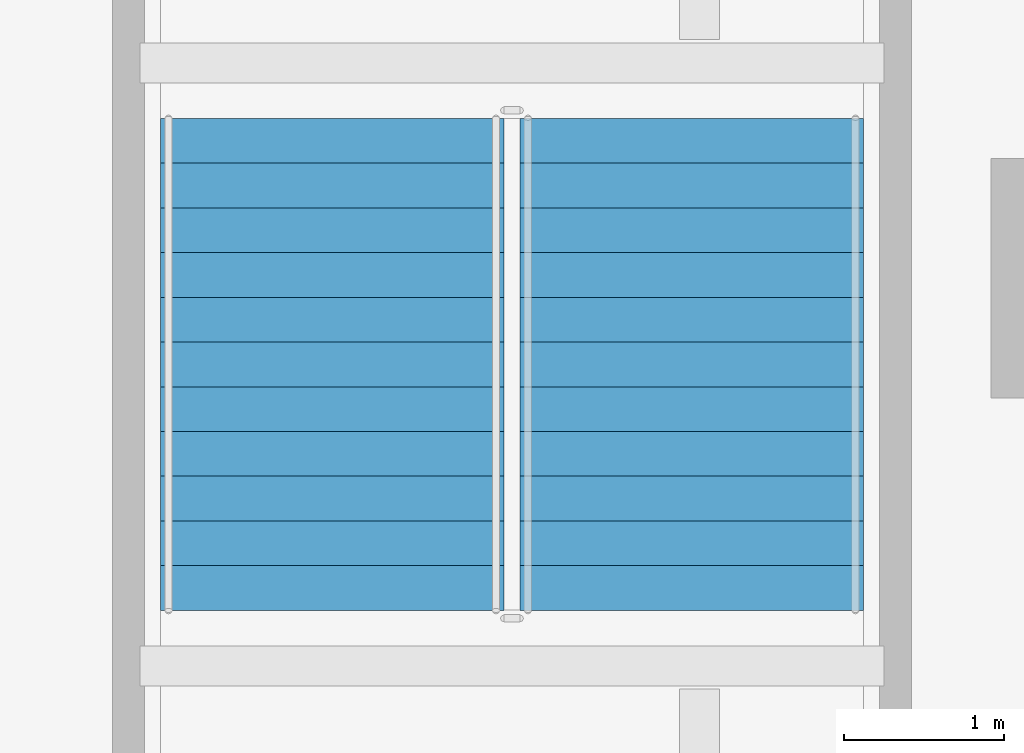
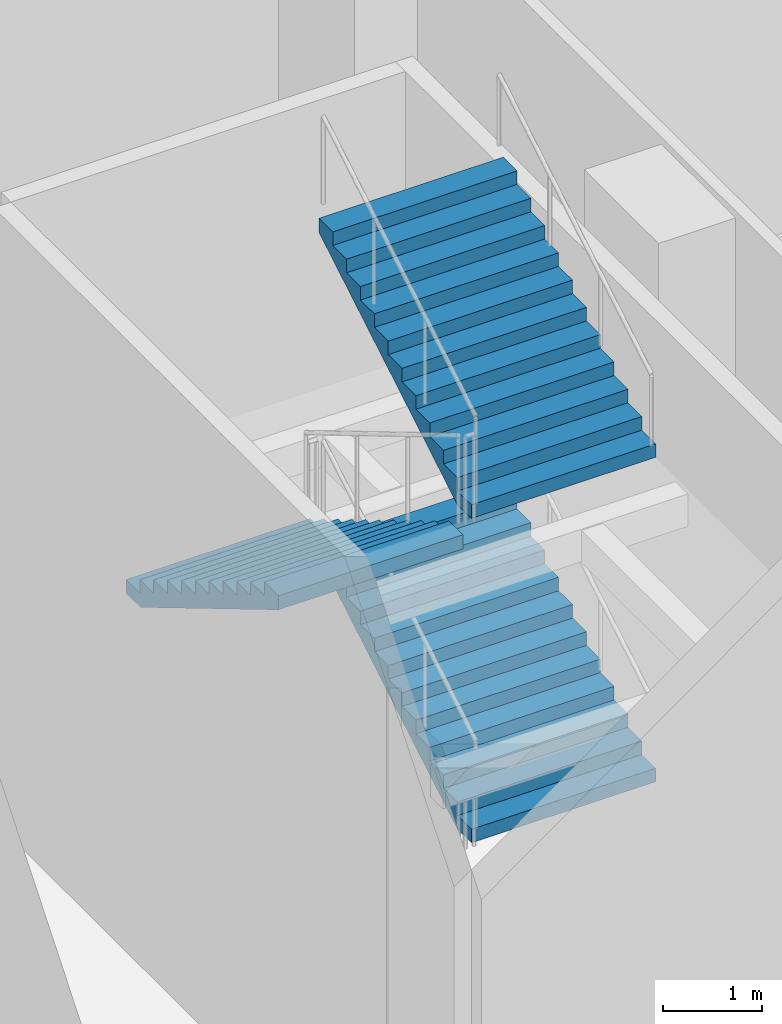
# One storey, part 20 of 30: 3 stair flights, 1 element without a shape of its own.
"""IFC4 building model written with IfcOpenShell, lengths in metres."""

from ifc_helpers import new_model, si_unit, direction, frame, origin, place, context, subcontext, project, spatial, triangles, material, type_object, element, aggregate, save


model = new_model("IFC4")

# Units and contexts
model_context = context("Model", 3, precision=1e-05, world=origin(), true_north=direction((0.0, 1.0)))
body_context = subcontext(model_context, "Body", "Model", "MODEL_VIEW")
ifc_project = project(units=[si_unit("LENGTHUNIT", "METRE"), si_unit("AREAUNIT", "SQUARE_METRE"), si_unit("VOLUMEUNIT", "CUBIC_METRE"), si_unit("PLANEANGLEUNIT", "RADIAN"), si_unit("MASSUNIT", "GRAM", prefix="KILO")], contexts=[model_context])

# Site, building, storey
site_placement = place(None, origin())
site = spatial("IfcSite", under=ifc_project, at=site_placement, CompositionType="ELEMENT")
building_placement = place(site_placement, origin())
building = spatial("IfcBuilding", under=site, at=building_placement, Name="Verdalira Terraces Hotel", CompositionType="ELEMENT")
storey_placement = place(building_placement, origin())
storey = spatial("IfcBuildingStorey", under=building, at=storey_placement, Name="L00", CompositionType="ELEMENT", Elevation=0.0)

# Stair, stair flights
ifc_material_1 = material(Name="Concrete C40", Category="concrete")
stair_type = type_object("IfcStairType", Name="Podium stair 48 risers", PredefinedType="HALF_TURN_STAIR", material=ifc_material_1)
stair_placement = place(storey_placement, origin())
stair = element("IfcStair", 1, at=stair_placement, inside=storey, type_object=stair_type, Name="L00 Exit stair PS4", PredefinedType="HALF_TURN_STAIR")
ifc_material_2 = material(Name="Concrete C40", Category="concrete")
stair_flight_type = type_object("IfcStairFlightType", Name="Podium stair flight 48 risers", PredefinedType="STRAIGHT", material=ifc_material_2)
stair_flight_1_placement = place(storey_placement, frame((21.283447, -2.080078, 2.0), z_axis=(0.0, 0.0, 1.0), x_axis=(0.0, 1.0, 0.0)))
stair_flight_1 = element("IfcStairFlight", 2, at=stair_flight_1_placement, type_object=stair_flight_type, Name="PS4 flight 2", NumberOfRisers=12, NumberOfTreads=11, PredefinedType="STRAIGHT", RiserHeight=0.166666667, TreadLength=0.28, context=body_context, shape_type="Tessellation", body=[
    triangles([(0.0, 1.074951, 0.0), (0.292969, 1.074951, 0.0), (3.080078, 1.074951, 1.658936), (0.0, -1.074951, 0.0), (0.292969, -1.074951, 0.0), (3.080078, -1.074951, 1.658936), (3.080078, 1.074951, 1.833252), (2.800049, 1.074951, 1.833252), (3.080078, -1.074951, 1.833252), (2.800049, -1.074951, 1.833252), (2.800049, 1.074951, 1.666748), (2.800049, -1.074951, 1.666748), (2.52002, 1.074951, 1.666748), (2.52002, -1.074951, 1.666748), (2.52002, 1.074951, 1.5), (2.52002, -1.074951, 1.5), (2.23999, 1.074951, 1.5), (2.23999, 1.074951, 1.333252), (2.23999, -1.074951, 1.5), (2.23999, -1.074951, 1.333252), (1.959961, 1.074951, 1.333252), (1.959961, 1.074951, 1.166748), (1.959961, -1.074951, 1.333252), (1.959961, -1.074951, 1.166748), (1.679932, 1.074951, 1.166748), (1.679932, 1.074951, 1.0), (1.679932, -1.074951, 1.166748), (1.679932, -1.074951, 1.0), (1.399902, 1.074951, 1.0), (1.399902, 1.074951, 0.833252), (1.399902, -1.074951, 1.0), (1.399902, -1.074951, 0.833252), (1.120117, 1.074951, 0.833252), (1.120117, 1.074951, 0.666748), (1.120117, -1.074951, 0.833252), (1.120117, -1.074951, 0.666748), (0.840088, 1.074951, 0.666748), (0.840088, 1.074951, 0.5), (0.840088, -1.074951, 0.666748), (0.840088, -1.074951, 0.5), (0.560059, 1.074951, 0.5), (0.560059, 1.074951, 0.333252), (0.560059, -1.074951, 0.5), (0.560059, -1.074951, 0.333252), (0.280029, 1.074951, 0.333252), (0.280029, 1.074951, 0.166748), (0.280029, -1.074951, 0.333252), (0.280029, -1.074951, 0.166748), (0.0, 1.074951, 0.166748), (0.0, -1.074951, 0.166748), (0.0, -1.007767, 0.0), (0.0, -1.007767, 0.166748), (0.0, -0.940582, 0.0), (0.0, -0.940582, 0.166748), (0.0, -0.873398, 0.0), (0.0, -0.873398, 0.166748), (0.0, -0.806213, 0.0), (0.0, -0.806213, 0.166748), (0.0, -0.739029, 0.0), (0.0, -0.739029, 0.166748), (0.0, -0.671844, 0.0), (0.0, -0.671844, 0.166748), (0.0, -0.60466, 0.0), (0.0, -0.60466, 0.166748), (0.0, -0.537476, 0.0), (0.0, -0.537476, 0.166748), (0.0, -0.470291, 0.0), (0.0, -0.470291, 0.166748), (0.0, -0.403107, 0.0), (0.0, -0.403107, 0.166748), (0.0, -0.335922, 0.0), (0.0, -0.335922, 0.166748), (0.0, -0.268738, 0.0), (0.0, -0.268738, 0.166748), (0.0, -0.201553, 0.0), (0.0, -0.201553, 0.166748), (0.0, -0.134369, 0.0), (0.0, -0.134369, 0.166748), (0.0, -0.067184, 0.0), (0.0, -0.067184, 0.166748), (0.0, 0.0, 0.0), (0.0, 0.0, 0.166748), (0.0, 0.067184, 0.0), (0.0, 0.067184, 0.166748), (0.0, 0.134369, 0.0), (0.0, 0.134369, 0.166748), (0.0, 0.201553, 0.0), (0.0, 0.201553, 0.166748), (0.0, 0.268738, 0.0), (0.0, 0.268738, 0.166748), (0.0, 0.335922, 0.0), (0.0, 0.335922, 0.166748), (0.0, 0.403107, 0.0), (0.0, 0.403107, 0.166748), (0.0, 0.470291, 0.0), (0.0, 0.470291, 0.166748), (0.0, 0.537476, 0.0), (0.0, 0.537476, 0.166748), (0.0, 0.60466, 0.0), (0.0, 0.60466, 0.166748), (0.0, 0.671844, 0.0), (0.0, 0.671844, 0.166748), (0.0, 0.739029, 0.0), (0.0, 0.739029, 0.166748), (0.0, 0.806213, 0.0), (0.0, 0.806213, 0.166748), (0.0, 0.873398, 0.0), (0.0, 0.873398, 0.166748), (0.0, 0.940582, 0.0), (0.0, 0.940582, 0.166748), (0.0, 1.007767, 0.0), (0.0, 1.007767, 0.166748), (3.080078, -1.007767, 1.833252), (3.080078, -0.940582, 1.833252), (3.080078, -0.873398, 1.833252), (3.080078, -0.806213, 1.833252), (3.080078, -0.739029, 1.833252), (3.080078, -0.671844, 1.833252), (3.080078, -0.60466, 1.833252), (3.080078, -0.537476, 1.833252), (3.080078, -0.470291, 1.833252), (3.080078, -0.403107, 1.833252), (3.080078, -0.335922, 1.833252), (3.080078, -0.268738, 1.833252), (3.080078, -0.201553, 1.833252), (3.080078, -0.134369, 1.833252), (3.080078, -0.067184, 1.833252), (3.080078, 0.0, 1.833252), (3.080078, 0.067184, 1.833252), (3.080078, 0.134369, 1.833252), (3.080078, 0.201553, 1.833252), (3.080078, 0.268738, 1.833252), (3.080078, 0.335922, 1.833252), (3.080078, 0.403107, 1.833252), (3.080078, 0.470291, 1.833252), (3.080078, 0.537476, 1.833252), (3.080078, 0.60466, 1.833252), (3.080078, 0.671844, 1.833252), (3.080078, 0.739029, 1.833252), (3.080078, 0.806213, 1.833252), (3.080078, 0.873398, 1.833252), (3.080078, 0.940582, 1.833252), (3.080078, 1.007767, 1.833252), (3.080078, -1.007767, 1.658936), (3.080078, -0.940582, 1.658936), (3.080078, -0.873398, 1.658936), (3.080078, -0.806213, 1.658936), (3.080078, -0.739029, 1.658936), (3.080078, -0.671844, 1.658936), (3.080078, -0.60466, 1.658936), (3.080078, -0.537476, 1.658936), (3.080078, -0.470291, 1.658936), (3.080078, -0.403107, 1.658936), (3.080078, -0.335922, 1.658936), (3.080078, -0.268738, 1.658936), (3.080078, -0.201553, 1.658936), (3.080078, -0.134369, 1.658936), (3.080078, -0.067184, 1.658936), (3.080078, 0.0, 1.658936), (3.080078, 0.067184, 1.658936), (3.080078, 0.134369, 1.658936), (3.080078, 0.201553, 1.658936), (3.080078, 0.268738, 1.658936), (3.080078, 0.335922, 1.658936), (3.080078, 0.403107, 1.658936), (3.080078, 0.470291, 1.658936), (3.080078, 0.537476, 1.658936), (3.080078, 0.60466, 1.658936), (3.080078, 0.671844, 1.658936), (3.080078, 0.739029, 1.658936), (3.080078, 0.806213, 1.658936), (3.080078, 0.873398, 1.658936), (3.080078, 0.940582, 1.658936), (3.080078, 1.007767, 1.658936)], [[1, 3, 2], [4, 5, 6], [3, 8, 7], [6, 9, 10], [3, 11, 8], [6, 10, 12], [3, 13, 11], [6, 12, 14], [3, 15, 13], [6, 14, 16], [15, 18, 17], [16, 19, 20], [3, 18, 15], [6, 16, 20], [18, 22, 21], [20, 23, 24], [3, 22, 18], [6, 20, 24], [22, 26, 25], [24, 27, 28], [3, 26, 22], [6, 24, 28], [26, 30, 29], [28, 31, 32], [3, 30, 26], [6, 28, 32], [30, 34, 33], [32, 35, 36], [3, 34, 30], [6, 32, 36], [34, 38, 37], [36, 39, 40], [3, 38, 34], [6, 36, 40], [38, 42, 41], [40, 43, 44], [3, 42, 38], [6, 40, 44], [1, 42, 3], [4, 6, 44], [42, 46, 45], [44, 47, 48], [1, 46, 42], [4, 44, 48], [46, 1, 49], [48, 50, 4], [4, 52, 51], [4, 50, 52], [51, 54, 53], [51, 52, 54], [53, 56, 55], [53, 54, 56], [55, 58, 57], [55, 56, 58], [57, 60, 59], [57, 58, 60], [59, 62, 61], [59, 60, 62], [61, 64, 63], [61, 62, 64], [63, 66, 65], [63, 64, 66], [65, 68, 67], [65, 66, 68], [67, 70, 69], [67, 68, 70], [69, 72, 71], [69, 70, 72], [71, 74, 73], [71, 72, 74], [73, 76, 75], [73, 74, 76], [75, 78, 77], [75, 76, 78], [77, 80, 79], [77, 78, 80], [79, 82, 81], [79, 80, 82], [81, 84, 83], [81, 82, 84], [83, 86, 85], [83, 84, 86], [85, 88, 87], [85, 86, 88], [87, 90, 89], [87, 88, 90], [89, 92, 91], [89, 90, 92], [91, 94, 93], [91, 92, 94], [93, 96, 95], [93, 94, 96], [95, 98, 97], [95, 96, 98], [97, 100, 99], [97, 98, 100], [99, 102, 101], [99, 100, 102], [101, 104, 103], [101, 102, 104], [103, 106, 105], [103, 104, 106], [105, 108, 107], [105, 106, 108], [107, 110, 109], [107, 108, 110], [109, 112, 111], [109, 110, 112], [111, 49, 1], [111, 112, 49], [50, 48, 52], [52, 48, 54], [54, 48, 56], [56, 48, 58], [58, 48, 60], [60, 48, 62], [62, 48, 64], [64, 48, 66], [66, 48, 68], [68, 48, 70], [70, 48, 72], [72, 48, 74], [74, 48, 76], [76, 48, 78], [78, 48, 80], [80, 48, 82], [82, 48, 84], [84, 48, 86], [86, 48, 88], [88, 48, 90], [90, 48, 92], [92, 48, 94], [94, 48, 96], [96, 48, 98], [98, 48, 100], [100, 48, 102], [102, 48, 104], [104, 48, 106], [106, 48, 108], [108, 48, 110], [110, 48, 112], [112, 48, 49], [49, 48, 46], [48, 45, 46], [48, 47, 45], [47, 42, 45], [47, 44, 42], [44, 41, 42], [44, 43, 41], [43, 38, 41], [43, 40, 38], [40, 37, 38], [40, 39, 37], [39, 34, 37], [39, 36, 34], [36, 33, 34], [36, 35, 33], [35, 30, 33], [35, 32, 30], [32, 29, 30], [32, 31, 29], [31, 26, 29], [31, 28, 26], [28, 25, 26], [28, 27, 25], [27, 22, 25], [27, 24, 22], [24, 21, 22], [24, 23, 21], [23, 18, 21], [23, 20, 18], [20, 17, 18], [20, 19, 17], [19, 15, 17], [19, 16, 15], [16, 13, 15], [16, 14, 13], [14, 11, 13], [14, 12, 11], [12, 8, 11], [12, 10, 8], [9, 113, 10], [113, 114, 10], [114, 115, 10], [115, 116, 10], [116, 117, 10], [117, 118, 10], [118, 119, 10], [119, 120, 10], [120, 121, 10], [121, 122, 10], [122, 123, 10], [123, 124, 10], [124, 125, 10], [125, 126, 10], [126, 127, 10], [127, 128, 10], [128, 129, 10], [129, 130, 10], [130, 131, 10], [131, 132, 10], [132, 133, 10], [133, 134, 10], [134, 135, 10], [135, 136, 10], [136, 137, 10], [137, 138, 10], [138, 139, 10], [139, 140, 10], [140, 141, 10], [141, 142, 10], [142, 143, 10], [143, 7, 10], [7, 8, 10], [9, 144, 113], [9, 6, 144], [113, 145, 114], [113, 144, 145], [114, 146, 115], [114, 145, 146], [115, 147, 116], [115, 146, 147], [116, 148, 117], [116, 147, 148], [117, 149, 118], [117, 148, 149], [118, 150, 119], [118, 149, 150], [119, 151, 120], [119, 150, 151], [120, 152, 121], [120, 151, 152], [121, 153, 122], [121, 152, 153], [122, 154, 123], [122, 153, 154], [123, 155, 124], [123, 154, 155], [124, 156, 125], [124, 155, 156], [125, 157, 126], [125, 156, 157], [126, 158, 127], [126, 157, 158], [127, 159, 128], [127, 158, 159], [128, 160, 129], [128, 159, 160], [129, 161, 130], [129, 160, 161], [130, 162, 131], [130, 161, 162], [131, 163, 132], [131, 162, 163], [132, 164, 133], [132, 163, 164], [133, 165, 134], [133, 164, 165], [134, 166, 135], [134, 165, 166], [135, 167, 136], [135, 166, 167], [136, 168, 137], [136, 167, 168], [137, 169, 138], [137, 168, 169], [138, 170, 139], [138, 169, 170], [139, 171, 140], [139, 170, 171], [140, 172, 141], [140, 171, 172], [141, 173, 142], [141, 172, 173], [142, 174, 143], [142, 173, 174], [143, 3, 7], [143, 174, 3], [6, 5, 144], [144, 5, 145], [145, 5, 146], [146, 5, 147], [147, 5, 148], [148, 5, 149], [149, 5, 150], [150, 5, 151], [151, 5, 152], [152, 5, 153], [153, 5, 154], [154, 5, 155], [155, 5, 156], [156, 5, 157], [157, 5, 158], [158, 5, 159], [159, 5, 160], [160, 5, 161], [161, 5, 162], [162, 5, 163], [163, 5, 164], [164, 5, 165], [165, 5, 166], [166, 5, 167], [167, 5, 168], [168, 5, 169], [169, 5, 170], [170, 5, 171], [171, 5, 172], [172, 5, 173], [173, 5, 174], [174, 5, 3], [3, 5, 2], [4, 51, 5], [51, 53, 5], [53, 55, 5], [55, 57, 5], [57, 59, 5], [59, 61, 5], [61, 63, 5], [63, 65, 5], [65, 67, 5], [67, 69, 5], [69, 71, 5], [71, 73, 5], [73, 75, 5], [75, 77, 5], [77, 79, 5], [79, 81, 5], [81, 83, 5], [83, 85, 5], [85, 87, 5], [87, 89, 5], [89, 91, 5], [91, 93, 5], [93, 95, 5], [95, 97, 5], [97, 99, 5], [99, 101, 5], [101, 103, 5], [103, 105, 5], [105, 107, 5], [107, 109, 5], [109, 111, 5], [111, 1, 5], [1, 2, 5]], closed=True),
])
stair_flight_2_placement = place(storey_placement, frame((19.033447, 1.0, 4.0), z_axis=(0.0, 0.0, 1.0), x_axis=(0.0, -1.0, 0.0)))
stair_flight_2 = element("IfcStairFlight", 3, at=stair_flight_2_placement, type_object=stair_flight_type, Name="PS4 flight 3", NumberOfRisers=12, NumberOfTreads=11, PredefinedType="STRAIGHT", RiserHeight=0.166666667, TreadLength=0.28, context=body_context, shape_type="Tessellation", body=[
    triangles([(0.0, 1.074951, 0.0), (0.292969, 1.074951, 0.0), (3.080078, 1.074951, 1.658936), (0.0, -1.074951, 0.0), (0.292969, -1.074951, 0.0), (3.080078, -1.074951, 1.658936), (3.080078, 1.074951, 1.833252), (2.800049, 1.074951, 1.833252), (3.080078, -1.074951, 1.833252), (2.800049, -1.074951, 1.833252), (2.800049, 1.074951, 1.666748), (2.800049, -1.074951, 1.666748), (2.52002, 1.074951, 1.666748), (2.52002, -1.074951, 1.666748), (2.52002, 1.074951, 1.5), (2.52002, -1.074951, 1.5), (2.23999, 1.074951, 1.5), (2.23999, 1.074951, 1.333252), (2.23999, -1.074951, 1.5), (2.23999, -1.074951, 1.333252), (1.959961, 1.074951, 1.333252), (1.959961, 1.074951, 1.166748), (1.959961, -1.074951, 1.333252), (1.959961, -1.074951, 1.166748), (1.679932, 1.074951, 1.166748), (1.679932, 1.074951, 1.0), (1.679932, -1.074951, 1.166748), (1.679932, -1.074951, 1.0), (1.399902, 1.074951, 1.0), (1.399902, 1.074951, 0.833252), (1.399902, -1.074951, 1.0), (1.399902, -1.074951, 0.833252), (1.120117, 1.074951, 0.833252), (1.120117, 1.074951, 0.666748), (1.120117, -1.074951, 0.833252), (1.120117, -1.074951, 0.666748), (0.840088, 1.074951, 0.666748), (0.840088, 1.074951, 0.5), (0.840088, -1.074951, 0.666748), (0.840088, -1.074951, 0.5), (0.560059, 1.074951, 0.5), (0.560059, 1.074951, 0.333252), (0.560059, -1.074951, 0.5), (0.560059, -1.074951, 0.333252), (0.280029, 1.074951, 0.333252), (0.280029, 1.074951, 0.166748), (0.280029, -1.074951, 0.333252), (0.280029, -1.074951, 0.166748), (0.0, 1.074951, 0.166748), (0.0, -1.074951, 0.166748), (0.0, -1.007767, 0.0), (0.0, -1.007767, 0.166748), (0.0, -0.940582, 0.0), (0.0, -0.940582, 0.166748), (0.0, -0.873398, 0.0), (0.0, -0.873398, 0.166748), (0.0, -0.806213, 0.0), (0.0, -0.806213, 0.166748), (0.0, -0.739029, 0.0), (0.0, -0.739029, 0.166748), (0.0, -0.671844, 0.0), (0.0, -0.671844, 0.166748), (0.0, -0.60466, 0.0), (0.0, -0.60466, 0.166748), (0.0, -0.537476, 0.0), (0.0, -0.537476, 0.166748), (0.0, -0.470291, 0.0), (0.0, -0.470291, 0.166748), (0.0, -0.403107, 0.0), (0.0, -0.403107, 0.166748), (0.0, -0.335922, 0.0), (0.0, -0.335922, 0.166748), (0.0, -0.268738, 0.0), (0.0, -0.268738, 0.166748), (0.0, -0.201553, 0.0), (0.0, -0.201553, 0.166748), (0.0, -0.134369, 0.0), (0.0, -0.134369, 0.166748), (0.0, -0.067184, 0.0), (0.0, -0.067184, 0.166748), (0.0, 0.0, 0.0), (0.0, 0.0, 0.166748), (0.0, 0.067184, 0.0), (0.0, 0.067184, 0.166748), (0.0, 0.134369, 0.0), (0.0, 0.134369, 0.166748), (0.0, 0.201553, 0.0), (0.0, 0.201553, 0.166748), (0.0, 0.268738, 0.0), (0.0, 0.268738, 0.166748), (0.0, 0.335922, 0.0), (0.0, 0.335922, 0.166748), (0.0, 0.403107, 0.0), (0.0, 0.403107, 0.166748), (0.0, 0.470291, 0.0), (0.0, 0.470291, 0.166748), (0.0, 0.537476, 0.0), (0.0, 0.537476, 0.166748), (0.0, 0.60466, 0.0), (0.0, 0.60466, 0.166748), (0.0, 0.671844, 0.0), (0.0, 0.671844, 0.166748), (0.0, 0.739029, 0.0), (0.0, 0.739029, 0.166748), (0.0, 0.806213, 0.0), (0.0, 0.806213, 0.166748), (0.0, 0.873398, 0.0), (0.0, 0.873398, 0.166748), (0.0, 0.940582, 0.0), (0.0, 0.940582, 0.166748), (0.0, 1.007767, 0.0), (0.0, 1.007767, 0.166748), (3.080078, -1.007767, 1.833252), (3.080078, -0.940582, 1.833252), (3.080078, -0.873398, 1.833252), (3.080078, -0.806213, 1.833252), (3.080078, -0.739029, 1.833252), (3.080078, -0.671844, 1.833252), (3.080078, -0.60466, 1.833252), (3.080078, -0.537476, 1.833252), (3.080078, -0.470291, 1.833252), (3.080078, -0.403107, 1.833252), (3.080078, -0.335922, 1.833252), (3.080078, -0.268738, 1.833252), (3.080078, -0.201553, 1.833252), (3.080078, -0.134369, 1.833252), (3.080078, -0.067184, 1.833252), (3.080078, 0.0, 1.833252), (3.080078, 0.067184, 1.833252), (3.080078, 0.134369, 1.833252), (3.080078, 0.201553, 1.833252), (3.080078, 0.268738, 1.833252), (3.080078, 0.335922, 1.833252), (3.080078, 0.403107, 1.833252), (3.080078, 0.470291, 1.833252), (3.080078, 0.537476, 1.833252), (3.080078, 0.60466, 1.833252), (3.080078, 0.671844, 1.833252), (3.080078, 0.739029, 1.833252), (3.080078, 0.806213, 1.833252), (3.080078, 0.873398, 1.833252), (3.080078, 0.940582, 1.833252), (3.080078, 1.007767, 1.833252), (3.080078, -1.007767, 1.658936), (3.080078, -0.940582, 1.658936), (3.080078, -0.873398, 1.658936), (3.080078, -0.806213, 1.658936), (3.080078, -0.739029, 1.658936), (3.080078, -0.671844, 1.658936), (3.080078, -0.60466, 1.658936), (3.080078, -0.537476, 1.658936), (3.080078, -0.470291, 1.658936), (3.080078, -0.403107, 1.658936), (3.080078, -0.335922, 1.658936), (3.080078, -0.268738, 1.658936), (3.080078, -0.201553, 1.658936), (3.080078, -0.134369, 1.658936), (3.080078, -0.067184, 1.658936), (3.080078, 0.0, 1.658936), (3.080078, 0.067184, 1.658936), (3.080078, 0.134369, 1.658936), (3.080078, 0.201553, 1.658936), (3.080078, 0.268738, 1.658936), (3.080078, 0.335922, 1.658936), (3.080078, 0.403107, 1.658936), (3.080078, 0.470291, 1.658936), (3.080078, 0.537476, 1.658936), (3.080078, 0.60466, 1.658936), (3.080078, 0.671844, 1.658936), (3.080078, 0.739029, 1.658936), (3.080078, 0.806213, 1.658936), (3.080078, 0.873398, 1.658936), (3.080078, 0.940582, 1.658936), (3.080078, 1.007767, 1.658936)], [[1, 3, 2], [4, 5, 6], [3, 8, 7], [6, 9, 10], [3, 11, 8], [6, 10, 12], [3, 13, 11], [6, 12, 14], [3, 15, 13], [6, 14, 16], [15, 18, 17], [16, 19, 20], [3, 18, 15], [6, 16, 20], [18, 22, 21], [20, 23, 24], [3, 22, 18], [6, 20, 24], [22, 26, 25], [24, 27, 28], [3, 26, 22], [6, 24, 28], [26, 30, 29], [28, 31, 32], [3, 30, 26], [6, 28, 32], [30, 34, 33], [32, 35, 36], [3, 34, 30], [6, 32, 36], [34, 38, 37], [36, 39, 40], [3, 38, 34], [6, 36, 40], [38, 42, 41], [40, 43, 44], [3, 42, 38], [6, 40, 44], [1, 42, 3], [4, 6, 44], [42, 46, 45], [44, 47, 48], [1, 46, 42], [4, 44, 48], [46, 1, 49], [48, 50, 4], [4, 52, 51], [4, 50, 52], [51, 54, 53], [51, 52, 54], [53, 56, 55], [53, 54, 56], [55, 58, 57], [55, 56, 58], [57, 60, 59], [57, 58, 60], [59, 62, 61], [59, 60, 62], [61, 64, 63], [61, 62, 64], [63, 66, 65], [63, 64, 66], [65, 68, 67], [65, 66, 68], [67, 70, 69], [67, 68, 70], [69, 72, 71], [69, 70, 72], [71, 74, 73], [71, 72, 74], [73, 76, 75], [73, 74, 76], [75, 78, 77], [75, 76, 78], [77, 80, 79], [77, 78, 80], [79, 82, 81], [79, 80, 82], [81, 84, 83], [81, 82, 84], [83, 86, 85], [83, 84, 86], [85, 88, 87], [85, 86, 88], [87, 90, 89], [87, 88, 90], [89, 92, 91], [89, 90, 92], [91, 94, 93], [91, 92, 94], [93, 96, 95], [93, 94, 96], [95, 98, 97], [95, 96, 98], [97, 100, 99], [97, 98, 100], [99, 102, 101], [99, 100, 102], [101, 104, 103], [101, 102, 104], [103, 106, 105], [103, 104, 106], [105, 108, 107], [105, 106, 108], [107, 110, 109], [107, 108, 110], [109, 112, 111], [109, 110, 112], [111, 49, 1], [111, 112, 49], [50, 48, 52], [52, 48, 54], [54, 48, 56], [56, 48, 58], [58, 48, 60], [60, 48, 62], [62, 48, 64], [64, 48, 66], [66, 48, 68], [68, 48, 70], [70, 48, 72], [72, 48, 74], [74, 48, 76], [76, 48, 78], [78, 48, 80], [80, 48, 82], [82, 48, 84], [84, 48, 86], [86, 48, 88], [88, 48, 90], [90, 48, 92], [92, 48, 94], [94, 48, 96], [96, 48, 98], [98, 48, 100], [100, 48, 102], [102, 48, 104], [104, 48, 106], [106, 48, 108], [108, 48, 110], [110, 48, 112], [112, 48, 49], [49, 48, 46], [48, 45, 46], [48, 47, 45], [47, 42, 45], [47, 44, 42], [44, 41, 42], [44, 43, 41], [43, 38, 41], [43, 40, 38], [40, 37, 38], [40, 39, 37], [39, 34, 37], [39, 36, 34], [36, 33, 34], [36, 35, 33], [35, 30, 33], [35, 32, 30], [32, 29, 30], [32, 31, 29], [31, 26, 29], [31, 28, 26], [28, 25, 26], [28, 27, 25], [27, 22, 25], [27, 24, 22], [24, 21, 22], [24, 23, 21], [23, 18, 21], [23, 20, 18], [20, 17, 18], [20, 19, 17], [19, 15, 17], [19, 16, 15], [16, 13, 15], [16, 14, 13], [14, 11, 13], [14, 12, 11], [12, 8, 11], [12, 10, 8], [9, 113, 10], [113, 114, 10], [114, 115, 10], [115, 116, 10], [116, 117, 10], [117, 118, 10], [118, 119, 10], [119, 120, 10], [120, 121, 10], [121, 122, 10], [122, 123, 10], [123, 124, 10], [124, 125, 10], [125, 126, 10], [126, 127, 10], [127, 128, 10], [128, 129, 10], [129, 130, 10], [130, 131, 10], [131, 132, 10], [132, 133, 10], [133, 134, 10], [134, 135, 10], [135, 136, 10], [136, 137, 10], [137, 138, 10], [138, 139, 10], [139, 140, 10], [140, 141, 10], [141, 142, 10], [142, 143, 10], [143, 7, 10], [7, 8, 10], [9, 144, 113], [9, 6, 144], [113, 145, 114], [113, 144, 145], [114, 146, 115], [114, 145, 146], [115, 147, 116], [115, 146, 147], [116, 148, 117], [116, 147, 148], [117, 149, 118], [117, 148, 149], [118, 150, 119], [118, 149, 150], [119, 151, 120], [119, 150, 151], [120, 152, 121], [120, 151, 152], [121, 153, 122], [121, 152, 153], [122, 154, 123], [122, 153, 154], [123, 155, 124], [123, 154, 155], [124, 156, 125], [124, 155, 156], [125, 157, 126], [125, 156, 157], [126, 158, 127], [126, 157, 158], [127, 159, 128], [127, 158, 159], [128, 160, 129], [128, 159, 160], [129, 161, 130], [129, 160, 161], [130, 162, 131], [130, 161, 162], [131, 163, 132], [131, 162, 163], [132, 164, 133], [132, 163, 164], [133, 165, 134], [133, 164, 165], [134, 166, 135], [134, 165, 166], [135, 167, 136], [135, 166, 167], [136, 168, 137], [136, 167, 168], [137, 169, 138], [137, 168, 169], [138, 170, 139], [138, 169, 170], [139, 171, 140], [139, 170, 171], [140, 172, 141], [140, 171, 172], [141, 173, 142], [141, 172, 173], [142, 174, 143], [142, 173, 174], [143, 3, 7], [143, 174, 3], [6, 5, 144], [144, 5, 145], [145, 5, 146], [146, 5, 147], [147, 5, 148], [148, 5, 149], [149, 5, 150], [150, 5, 151], [151, 5, 152], [152, 5, 153], [153, 5, 154], [154, 5, 155], [155, 5, 156], [156, 5, 157], [157, 5, 158], [158, 5, 159], [159, 5, 160], [160, 5, 161], [161, 5, 162], [162, 5, 163], [163, 5, 164], [164, 5, 165], [165, 5, 166], [166, 5, 167], [167, 5, 168], [168, 5, 169], [169, 5, 170], [170, 5, 171], [171, 5, 172], [172, 5, 173], [173, 5, 174], [174, 5, 3], [3, 5, 2], [4, 51, 5], [51, 53, 5], [53, 55, 5], [55, 57, 5], [57, 59, 5], [59, 61, 5], [61, 63, 5], [63, 65, 5], [65, 67, 5], [67, 69, 5], [69, 71, 5], [71, 73, 5], [73, 75, 5], [75, 77, 5], [77, 79, 5], [79, 81, 5], [81, 83, 5], [83, 85, 5], [85, 87, 5], [87, 89, 5], [89, 91, 5], [91, 93, 5], [93, 95, 5], [95, 97, 5], [97, 99, 5], [99, 101, 5], [101, 103, 5], [103, 105, 5], [105, 107, 5], [107, 109, 5], [109, 111, 5], [111, 1, 5], [1, 2, 5]], closed=True),
])
stair_flight_3_placement = place(storey_placement, frame((21.283447, -2.080078, 6.0), z_axis=(0.0, 0.0, 1.0), x_axis=(0.0, 1.0, 0.0)))
stair_flight_3 = element("IfcStairFlight", 4, at=stair_flight_3_placement, type_object=stair_flight_type, Name="PS4 flight 4", NumberOfRisers=12, NumberOfTreads=11, PredefinedType="STRAIGHT", RiserHeight=0.166666667, TreadLength=0.28, context=body_context, shape_type="Tessellation", body=[
    triangles([(0.0, 1.074951, 0.0), (0.292969, 1.074951, 0.0), (3.080078, 1.074951, 1.658936), (0.0, -1.074951, 0.0), (0.292969, -1.074951, 0.0), (3.080078, -1.074951, 1.658936), (3.080078, 1.074951, 1.833252), (2.800049, 1.074951, 1.833252), (3.080078, -1.074951, 1.833252), (2.800049, -1.074951, 1.833252), (2.800049, 1.074951, 1.666748), (2.800049, -1.074951, 1.666748), (2.52002, 1.074951, 1.666748), (2.52002, -1.074951, 1.666748), (2.52002, 1.074951, 1.5), (2.52002, -1.074951, 1.5), (2.23999, 1.074951, 1.5), (2.23999, 1.074951, 1.333252), (2.23999, -1.074951, 1.5), (2.23999, -1.074951, 1.333252), (1.959961, 1.074951, 1.333252), (1.959961, 1.074951, 1.166748), (1.959961, -1.074951, 1.333252), (1.959961, -1.074951, 1.166748), (1.679932, 1.074951, 1.166748), (1.679932, 1.074951, 1.0), (1.679932, -1.074951, 1.166748), (1.679932, -1.074951, 1.0), (1.399902, 1.074951, 1.0), (1.399902, 1.074951, 0.833252), (1.399902, -1.074951, 1.0), (1.399902, -1.074951, 0.833252), (1.120117, 1.074951, 0.833252), (1.120117, 1.074951, 0.666748), (1.120117, -1.074951, 0.833252), (1.120117, -1.074951, 0.666748), (0.840088, 1.074951, 0.666748), (0.840088, 1.074951, 0.5), (0.840088, -1.074951, 0.666748), (0.840088, -1.074951, 0.5), (0.560059, 1.074951, 0.5), (0.560059, 1.074951, 0.333252), (0.560059, -1.074951, 0.5), (0.560059, -1.074951, 0.333252), (0.280029, 1.074951, 0.333252), (0.280029, 1.074951, 0.166748), (0.280029, -1.074951, 0.333252), (0.280029, -1.074951, 0.166748), (0.0, 1.074951, 0.166748), (0.0, -1.074951, 0.166748), (0.0, -1.007767, 0.0), (0.0, -1.007767, 0.166748), (0.0, -0.940582, 0.0), (0.0, -0.940582, 0.166748), (0.0, -0.873398, 0.0), (0.0, -0.873398, 0.166748), (0.0, -0.806213, 0.0), (0.0, -0.806213, 0.166748), (0.0, -0.739029, 0.0), (0.0, -0.739029, 0.166748), (0.0, -0.671844, 0.0), (0.0, -0.671844, 0.166748), (0.0, -0.60466, 0.0), (0.0, -0.60466, 0.166748), (0.0, -0.537476, 0.0), (0.0, -0.537476, 0.166748), (0.0, -0.470291, 0.0), (0.0, -0.470291, 0.166748), (0.0, -0.403107, 0.0), (0.0, -0.403107, 0.166748), (0.0, -0.335922, 0.0), (0.0, -0.335922, 0.166748), (0.0, -0.268738, 0.0), (0.0, -0.268738, 0.166748), (0.0, -0.201553, 0.0), (0.0, -0.201553, 0.166748), (0.0, -0.134369, 0.0), (0.0, -0.134369, 0.166748), (0.0, -0.067184, 0.0), (0.0, -0.067184, 0.166748), (0.0, 0.0, 0.0), (0.0, 0.0, 0.166748), (0.0, 0.067184, 0.0), (0.0, 0.067184, 0.166748), (0.0, 0.134369, 0.0), (0.0, 0.134369, 0.166748), (0.0, 0.201553, 0.0), (0.0, 0.201553, 0.166748), (0.0, 0.268738, 0.0), (0.0, 0.268738, 0.166748), (0.0, 0.335922, 0.0), (0.0, 0.335922, 0.166748), (0.0, 0.403107, 0.0), (0.0, 0.403107, 0.166748), (0.0, 0.470291, 0.0), (0.0, 0.470291, 0.166748), (0.0, 0.537476, 0.0), (0.0, 0.537476, 0.166748), (0.0, 0.60466, 0.0), (0.0, 0.60466, 0.166748), (0.0, 0.671844, 0.0), (0.0, 0.671844, 0.166748), (0.0, 0.739029, 0.0), (0.0, 0.739029, 0.166748), (0.0, 0.806213, 0.0), (0.0, 0.806213, 0.166748), (0.0, 0.873398, 0.0), (0.0, 0.873398, 0.166748), (0.0, 0.940582, 0.0), (0.0, 0.940582, 0.166748), (0.0, 1.007767, 0.0), (0.0, 1.007767, 0.166748), (3.080078, -1.007767, 1.833252), (3.080078, -0.940582, 1.833252), (3.080078, -0.873398, 1.833252), (3.080078, -0.806213, 1.833252), (3.080078, -0.739029, 1.833252), (3.080078, -0.671844, 1.833252), (3.080078, -0.60466, 1.833252), (3.080078, -0.537476, 1.833252), (3.080078, -0.470291, 1.833252), (3.080078, -0.403107, 1.833252), (3.080078, -0.335922, 1.833252), (3.080078, -0.268738, 1.833252), (3.080078, -0.201553, 1.833252), (3.080078, -0.134369, 1.833252), (3.080078, -0.067184, 1.833252), (3.080078, 0.0, 1.833252), (3.080078, 0.067184, 1.833252), (3.080078, 0.134369, 1.833252), (3.080078, 0.201553, 1.833252), (3.080078, 0.268738, 1.833252), (3.080078, 0.335922, 1.833252), (3.080078, 0.403107, 1.833252), (3.080078, 0.470291, 1.833252), (3.080078, 0.537476, 1.833252), (3.080078, 0.60466, 1.833252), (3.080078, 0.671844, 1.833252), (3.080078, 0.739029, 1.833252), (3.080078, 0.806213, 1.833252), (3.080078, 0.873398, 1.833252), (3.080078, 0.940582, 1.833252), (3.080078, 1.007767, 1.833252), (3.080078, -1.007767, 1.658936), (3.080078, -0.940582, 1.658936), (3.080078, -0.873398, 1.658936), (3.080078, -0.806213, 1.658936), (3.080078, -0.739029, 1.658936), (3.080078, -0.671844, 1.658936), (3.080078, -0.60466, 1.658936), (3.080078, -0.537476, 1.658936), (3.080078, -0.470291, 1.658936), (3.080078, -0.403107, 1.658936), (3.080078, -0.335922, 1.658936), (3.080078, -0.268738, 1.658936), (3.080078, -0.201553, 1.658936), (3.080078, -0.134369, 1.658936), (3.080078, -0.067184, 1.658936), (3.080078, 0.0, 1.658936), (3.080078, 0.067184, 1.658936), (3.080078, 0.134369, 1.658936), (3.080078, 0.201553, 1.658936), (3.080078, 0.268738, 1.658936), (3.080078, 0.335922, 1.658936), (3.080078, 0.403107, 1.658936), (3.080078, 0.470291, 1.658936), (3.080078, 0.537476, 1.658936), (3.080078, 0.60466, 1.658936), (3.080078, 0.671844, 1.658936), (3.080078, 0.739029, 1.658936), (3.080078, 0.806213, 1.658936), (3.080078, 0.873398, 1.658936), (3.080078, 0.940582, 1.658936), (3.080078, 1.007767, 1.658936)], [[1, 3, 2], [4, 5, 6], [3, 8, 7], [6, 9, 10], [3, 11, 8], [6, 10, 12], [3, 13, 11], [6, 12, 14], [3, 15, 13], [6, 14, 16], [15, 18, 17], [16, 19, 20], [3, 18, 15], [6, 16, 20], [18, 22, 21], [20, 23, 24], [3, 22, 18], [6, 20, 24], [22, 26, 25], [24, 27, 28], [3, 26, 22], [6, 24, 28], [26, 30, 29], [28, 31, 32], [3, 30, 26], [6, 28, 32], [30, 34, 33], [32, 35, 36], [3, 34, 30], [6, 32, 36], [34, 38, 37], [36, 39, 40], [3, 38, 34], [6, 36, 40], [38, 42, 41], [40, 43, 44], [3, 42, 38], [6, 40, 44], [1, 42, 3], [4, 6, 44], [42, 46, 45], [44, 47, 48], [1, 46, 42], [4, 44, 48], [46, 1, 49], [48, 50, 4], [4, 52, 51], [4, 50, 52], [51, 54, 53], [51, 52, 54], [53, 56, 55], [53, 54, 56], [55, 58, 57], [55, 56, 58], [57, 60, 59], [57, 58, 60], [59, 62, 61], [59, 60, 62], [61, 64, 63], [61, 62, 64], [63, 66, 65], [63, 64, 66], [65, 68, 67], [65, 66, 68], [67, 70, 69], [67, 68, 70], [69, 72, 71], [69, 70, 72], [71, 74, 73], [71, 72, 74], [73, 76, 75], [73, 74, 76], [75, 78, 77], [75, 76, 78], [77, 80, 79], [77, 78, 80], [79, 82, 81], [79, 80, 82], [81, 84, 83], [81, 82, 84], [83, 86, 85], [83, 84, 86], [85, 88, 87], [85, 86, 88], [87, 90, 89], [87, 88, 90], [89, 92, 91], [89, 90, 92], [91, 94, 93], [91, 92, 94], [93, 96, 95], [93, 94, 96], [95, 98, 97], [95, 96, 98], [97, 100, 99], [97, 98, 100], [99, 102, 101], [99, 100, 102], [101, 104, 103], [101, 102, 104], [103, 106, 105], [103, 104, 106], [105, 108, 107], [105, 106, 108], [107, 110, 109], [107, 108, 110], [109, 112, 111], [109, 110, 112], [111, 49, 1], [111, 112, 49], [50, 48, 52], [52, 48, 54], [54, 48, 56], [56, 48, 58], [58, 48, 60], [60, 48, 62], [62, 48, 64], [64, 48, 66], [66, 48, 68], [68, 48, 70], [70, 48, 72], [72, 48, 74], [74, 48, 76], [76, 48, 78], [78, 48, 80], [80, 48, 82], [82, 48, 84], [84, 48, 86], [86, 48, 88], [88, 48, 90], [90, 48, 92], [92, 48, 94], [94, 48, 96], [96, 48, 98], [98, 48, 100], [100, 48, 102], [102, 48, 104], [104, 48, 106], [106, 48, 108], [108, 48, 110], [110, 48, 112], [112, 48, 49], [49, 48, 46], [48, 45, 46], [48, 47, 45], [47, 42, 45], [47, 44, 42], [44, 41, 42], [44, 43, 41], [43, 38, 41], [43, 40, 38], [40, 37, 38], [40, 39, 37], [39, 34, 37], [39, 36, 34], [36, 33, 34], [36, 35, 33], [35, 30, 33], [35, 32, 30], [32, 29, 30], [32, 31, 29], [31, 26, 29], [31, 28, 26], [28, 25, 26], [28, 27, 25], [27, 22, 25], [27, 24, 22], [24, 21, 22], [24, 23, 21], [23, 18, 21], [23, 20, 18], [20, 17, 18], [20, 19, 17], [19, 15, 17], [19, 16, 15], [16, 13, 15], [16, 14, 13], [14, 11, 13], [14, 12, 11], [12, 8, 11], [12, 10, 8], [9, 113, 10], [113, 114, 10], [114, 115, 10], [115, 116, 10], [116, 117, 10], [117, 118, 10], [118, 119, 10], [119, 120, 10], [120, 121, 10], [121, 122, 10], [122, 123, 10], [123, 124, 10], [124, 125, 10], [125, 126, 10], [126, 127, 10], [127, 128, 10], [128, 129, 10], [129, 130, 10], [130, 131, 10], [131, 132, 10], [132, 133, 10], [133, 134, 10], [134, 135, 10], [135, 136, 10], [136, 137, 10], [137, 138, 10], [138, 139, 10], [139, 140, 10], [140, 141, 10], [141, 142, 10], [142, 143, 10], [143, 7, 10], [7, 8, 10], [9, 144, 113], [9, 6, 144], [113, 145, 114], [113, 144, 145], [114, 146, 115], [114, 145, 146], [115, 147, 116], [115, 146, 147], [116, 148, 117], [116, 147, 148], [117, 149, 118], [117, 148, 149], [118, 150, 119], [118, 149, 150], [119, 151, 120], [119, 150, 151], [120, 152, 121], [120, 151, 152], [121, 153, 122], [121, 152, 153], [122, 154, 123], [122, 153, 154], [123, 155, 124], [123, 154, 155], [124, 156, 125], [124, 155, 156], [125, 157, 126], [125, 156, 157], [126, 158, 127], [126, 157, 158], [127, 159, 128], [127, 158, 159], [128, 160, 129], [128, 159, 160], [129, 161, 130], [129, 160, 161], [130, 162, 131], [130, 161, 162], [131, 163, 132], [131, 162, 163], [132, 164, 133], [132, 163, 164], [133, 165, 134], [133, 164, 165], [134, 166, 135], [134, 165, 166], [135, 167, 136], [135, 166, 167], [136, 168, 137], [136, 167, 168], [137, 169, 138], [137, 168, 169], [138, 170, 139], [138, 169, 170], [139, 171, 140], [139, 170, 171], [140, 172, 141], [140, 171, 172], [141, 173, 142], [141, 172, 173], [142, 174, 143], [142, 173, 174], [143, 3, 7], [143, 174, 3], [6, 5, 144], [144, 5, 145], [145, 5, 146], [146, 5, 147], [147, 5, 148], [148, 5, 149], [149, 5, 150], [150, 5, 151], [151, 5, 152], [152, 5, 153], [153, 5, 154], [154, 5, 155], [155, 5, 156], [156, 5, 157], [157, 5, 158], [158, 5, 159], [159, 5, 160], [160, 5, 161], [161, 5, 162], [162, 5, 163], [163, 5, 164], [164, 5, 165], [165, 5, 166], [166, 5, 167], [167, 5, 168], [168, 5, 169], [169, 5, 170], [170, 5, 171], [171, 5, 172], [172, 5, 173], [173, 5, 174], [174, 5, 3], [3, 5, 2], [4, 51, 5], [51, 53, 5], [53, 55, 5], [55, 57, 5], [57, 59, 5], [59, 61, 5], [61, 63, 5], [63, 65, 5], [65, 67, 5], [67, 69, 5], [69, 71, 5], [71, 73, 5], [73, 75, 5], [75, 77, 5], [77, 79, 5], [79, 81, 5], [81, 83, 5], [83, 85, 5], [85, 87, 5], [87, 89, 5], [89, 91, 5], [91, 93, 5], [93, 95, 5], [95, 97, 5], [97, 99, 5], [99, 101, 5], [101, 103, 5], [103, 105, 5], [105, 107, 5], [107, 109, 5], [109, 111, 5], [111, 1, 5], [1, 2, 5]], closed=True),
])
aggregate(stair, [stair_flight_1, stair_flight_2, stair_flight_3])

save(model, "model.ifc")
